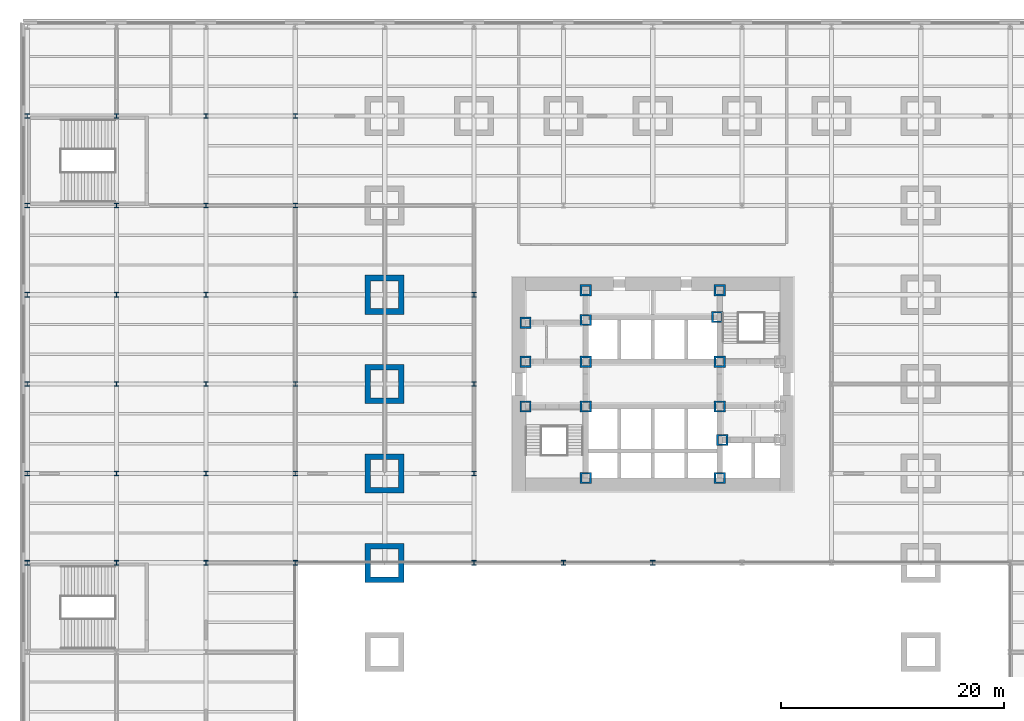
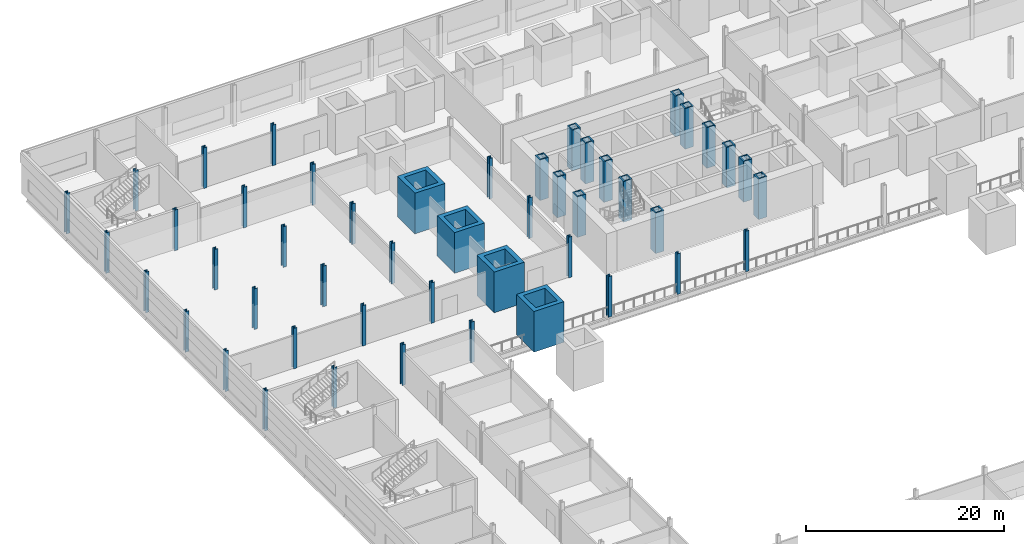
# One storey, part 4 of 22: 48 columns.
"""IFC4 building model written with IfcOpenShell, lengths in metres."""

from ifc_helpers import new_model, si_unit, direction, frame, origin, origin_2d, place, context, subcontext, project, spatial, hollow_rectangle, i_section, extrude, material, material_profile, profile_set, type_object, element, save


model = new_model("IFC4")

# Units and contexts
model_context = context("Model", 3, precision=1e-05, world=origin(), true_north=direction((0.0, 1.0)))
body_context = subcontext(model_context, "Body", "Model", "MODEL_VIEW")
ifc_project = project(units=[si_unit("LENGTHUNIT", "METRE"), si_unit("AREAUNIT", "SQUARE_METRE"), si_unit("VOLUMEUNIT", "CUBIC_METRE"), si_unit("PLANEANGLEUNIT", "RADIAN"), si_unit("MASSUNIT", "GRAM", prefix="KILO")], contexts=[model_context])

# Site, building, storey
site_placement = place(None, origin())
site = spatial("IfcSite", under=ifc_project, at=site_placement, CompositionType="ELEMENT")
building_placement = place(site_placement, origin())
building = spatial("IfcBuilding", under=site, at=building_placement, Name="Daluyong Arena Tower", CompositionType="ELEMENT")
storey_placement = place(building_placement, frame((0.0, 0.0, 9.89990234375)))
storey = spatial("IfcBuildingStorey", under=building, at=storey_placement, Name="L02", CompositionType="ELEMENT", Elevation=9.89990234375)

# Columns
ifc_material_1 = material(Name="Steel ASTM A588 Grade 50", Category="steel")
ifc_material_profile_1 = material_profile(ifc_material_1, hollow_rectangle(XDim=1.0, YDim=1.0, WallThickness=0.15, at=origin_2d()))
ifc_profile_set_1 = profile_set([ifc_material_profile_1], Name="Steel ASTM A588 Grade 50")
column_type_1 = type_object("IfcColumnType", Name="Core boundary column BX1000X150", PredefinedType="COLUMN", material=ifc_profile_set_1)
for number, where, z_axis, x_axis, name in (
    (1, (44.60009765625, 78.0, 0.0), (0.0, 0.0, 1.0), (1.0, 0.0, 0.0), "core boundary column BC1"),
    (2, (44.60009765625, 82.0, 0.0), (0.0, 0.0, 1.0), (1.0, 0.0, 0.0), "core boundary column BC1"),
    (3, (44.60009765625, 85.5, 0.0), (0.0, 0.0, 1.0), (1.0, 0.0, 0.0), "core boundary column BC1"),
    (4, (50.0, 71.60009765625, 0.0), (0.0, 0.0, 1.0), (1.0, 0.0, 0.0), "core boundary column BC1"),
    (5, (50.0, 78.0, 0.0), (0.0, 0.0, 1.0), (1.0, 0.0, 0.0), "core boundary column BC1"),
    (6, (50.0, 82.0, 0.0), (0.0, 0.0, 1.0), (1.0, 0.0, 0.0), "core boundary column BC1"),
    (7, (50.0, 85.75, 0.0), (0.0, 0.0, 1.0), (1.0, 0.0, 0.0), "core boundary column BC1"),
    (8, (50.0, 88.39990234375, 0.0), (0.0, 0.0, 1.0), (1.0, 0.0, 0.0), "core boundary column BC1"),
    (9, (61.77490234375, 86.0, 0.0), (0.0, 0.0, 1.0), (1.0, 0.0, 0.0), "core boundary column BC1"),
    (10, (62.0, 71.60009765625, 0.0), (0.0, 0.0, 1.0), (1.0, 0.0, 0.0), "core boundary column BC1"),
    (11, (62.0, 78.0, 0.0), (0.0, 0.0, 1.0), (1.0, 0.0, 0.0), "core boundary column BC1"),
    (12, (62.0, 82.0, 0.0), (0.0, 0.0, 1.0), (1.0, 0.0, 0.0), "core boundary column BC1"),
    (13, (62.0, 88.39990234375, 0.0), (0.0, 0.0, 1.0), (1.0, 0.0, 0.0), "core boundary column BC1"),
    (14, (62.22509765625, 75.0, 0.0), (0.0, 0.0, 1.0), (1.0, 0.0, 0.0), "core boundary column BC1"),
):
    element("IfcColumn", number, at=place(storey_placement, frame(where, z_axis=z_axis, x_axis=x_axis)), inside=storey, type_object=column_type_1, Name=name, PredefinedType="COLUMN", context=body_context, shape_type="SweptSolid", body=[
        extrude(hollow_rectangle(XDim=1.0, YDim=1.0, WallThickness=0.15, at=origin_2d()), origin(), (0.0, 0.0, 1.0), 5.0),
    ])
ifc_material_2 = material(Name="Steel ASTM A992 Grade 50", Category="steel")
ifc_material_profile_2 = material_profile(ifc_material_2, i_section(OverallWidth=0.406494140625, OverallDepth=0.41650390625, WebThickness=0.030029296875, FlangeThickness=0.048095703125, at=origin_2d()))
ifc_profile_set_2 = profile_set([ifc_material_profile_2], Name="Steel ASTM A992 Grade 50")
column_type_2 = type_object("IfcColumnType", Name="Podium column W14X257", PredefinedType="COLUMN", material=ifc_profile_set_2)
for number, where, z_axis, x_axis, name in (
    (15, (0.0, 64.0, 0.0), (0.0, 0.0, 1.0), (1.0, 0.0, 0.0), "podium column PC2"),
    (16, (0.0, 72.0, 0.0), (0.0, 0.0, 1.0), (1.0, 0.0, 0.0), "podium column PC2"),
    (17, (0.0, 80.0, 0.0), (0.0, 0.0, 1.0), (1.0, 0.0, 0.0), "podium column PC2"),
    (18, (0.0, 88.0, 0.0), (0.0, 0.0, 1.0), (1.0, 0.0, 0.0), "podium column PC2"),
    (19, (0.0, 96.0, 0.0), (0.0, 0.0, 1.0), (1.0, 0.0, 0.0), "podium column PC2"),
    (20, (0.0, 104.0, 0.0), (0.0, 0.0, 1.0), (1.0, 0.0, 0.0), "podium column PC2"),
    (21, (8.0, 64.0, 0.0), (0.0, 0.0, 1.0), (1.0, 0.0, 0.0), "podium column PC2"),
    (22, (8.0, 72.0, 0.0), (0.0, 0.0, 1.0), (1.0, 0.0, 0.0), "podium column PC2"),
    (23, (8.0, 80.0, 0.0), (0.0, 0.0, 1.0), (1.0, 0.0, 0.0), "podium column PC2"),
    (24, (8.0, 88.0, 0.0), (0.0, 0.0, 1.0), (1.0, 0.0, 0.0), "podium column PC2"),
    (25, (8.0, 96.0, 0.0), (0.0, 0.0, 1.0), (1.0, 0.0, 0.0), "podium column PC2"),
    (26, (8.0, 104.0, 0.0), (0.0, 0.0, 1.0), (1.0, 0.0, 0.0), "podium column PC2"),
    (27, (16.0, 64.0, 0.0), (0.0, 0.0, 1.0), (1.0, 0.0, 0.0), "podium column PC2"),
    (28, (16.0, 72.0, 0.0), (0.0, 0.0, 1.0), (1.0, 0.0, 0.0), "podium column PC2"),
    (29, (16.0, 80.0, 0.0), (0.0, 0.0, 1.0), (1.0, 0.0, 0.0), "podium column PC2"),
    (30, (16.0, 88.0, 0.0), (0.0, 0.0, 1.0), (1.0, 0.0, 0.0), "podium column PC2"),
    (31, (16.0, 96.0, 0.0), (0.0, 0.0, 1.0), (1.0, 0.0, 0.0), "podium column PC2"),
    (32, (16.0, 104.0, 0.0), (0.0, 0.0, 1.0), (1.0, 0.0, 0.0), "podium column PC2"),
    (33, (24.0, 64.0, 0.0), (0.0, 0.0, 1.0), (1.0, 0.0, 0.0), "podium column PC2"),
    (34, (24.0, 72.0, 0.0), (0.0, 0.0, 1.0), (1.0, 0.0, 0.0), "podium column PC2"),
    (35, (24.0, 80.0, 0.0), (0.0, 0.0, 1.0), (1.0, 0.0, 0.0), "podium column PC2"),
    (36, (24.0, 88.0, 0.0), (0.0, 0.0, 1.0), (1.0, 0.0, 0.0), "podium column PC2"),
    (37, (24.0, 96.0, 0.0), (0.0, 0.0, 1.0), (1.0, 0.0, 0.0), "podium column PC2"),
    (38, (24.0, 104.0, 0.0), (0.0, 0.0, 1.0), (1.0, 0.0, 0.0), "podium column PC2"),
    (39, (40.0, 64.0, 0.0), (0.0, 0.0, 1.0), (1.0, 0.0, 0.0), "podium column PC2"),
    (40, (40.0, 72.0, 0.0), (0.0, 0.0, 1.0), (1.0, 0.0, 0.0), "podium column PC2"),
    (41, (40.0, 80.0, 0.0), (0.0, 0.0, 1.0), (1.0, 0.0, 0.0), "podium column PC2"),
    (42, (40.0, 88.0, 0.0), (0.0, 0.0, 1.0), (1.0, 0.0, 0.0), "podium column PC2"),
    (43, (48.0, 64.0, 0.0), (0.0, 0.0, 1.0), (1.0, 0.0, 0.0), "podium column PC2"),
    (44, (56.0, 64.0, 0.0), (0.0, 0.0, 1.0), (1.0, 0.0, 0.0), "podium column PC2"),
):
    element("IfcColumn", number, at=place(storey_placement, frame(where, z_axis=z_axis, x_axis=x_axis)), inside=storey, type_object=column_type_2, Name=name, PredefinedType="COLUMN", context=body_context, shape_type="SweptSolid", body=[
        extrude(i_section(OverallWidth=0.406494140625, OverallDepth=0.41650390625, WebThickness=0.030029296875, FlangeThickness=0.048095703125, at=origin_2d()), origin(), (0.0, 0.0, 1.0), 5.0),
    ])
ifc_material_3 = material(Name="Steel ASTM A36", Category="steel")
ifc_material_profile_3 = material_profile(ifc_material_3, hollow_rectangle(XDim=3.5, YDim=3.5, WallThickness=0.5, at=origin_2d()))
ifc_profile_set_3 = profile_set([ifc_material_profile_3], Name="Steel ASTM A36")
column_type_3 = type_object("IfcColumnType", Name="Podium megacolumn BX3500X500", PredefinedType="COLUMN", material=ifc_profile_set_3)
for number, where, z_axis, x_axis, name in (
    (45, (32.0, 64.0, 0.0), (0.0, 0.0, 1.0), (1.0, 0.0, 0.0), "podium megacolumn MC1"),
    (46, (32.0, 72.0, 0.0), (0.0, 0.0, 1.0), (1.0, 0.0, 0.0), "podium megacolumn MC1"),
    (47, (32.0, 80.0, 0.0), (0.0, 0.0, 1.0), (1.0, 0.0, 0.0), "podium megacolumn MC1"),
    (48, (32.0, 88.0, 0.0), (0.0, 0.0, 1.0), (1.0, 0.0, 0.0), "podium megacolumn MC1"),
):
    element("IfcColumn", number, at=place(storey_placement, frame(where, z_axis=z_axis, x_axis=x_axis)), inside=storey, type_object=column_type_3, Name=name, PredefinedType="COLUMN", context=body_context, shape_type="SweptSolid", body=[
        extrude(hollow_rectangle(XDim=3.5, YDim=3.5, WallThickness=0.5, at=origin_2d()), origin(), (0.0, 0.0, 1.0), 5.0),
    ])

save(model, "model.ifc")
